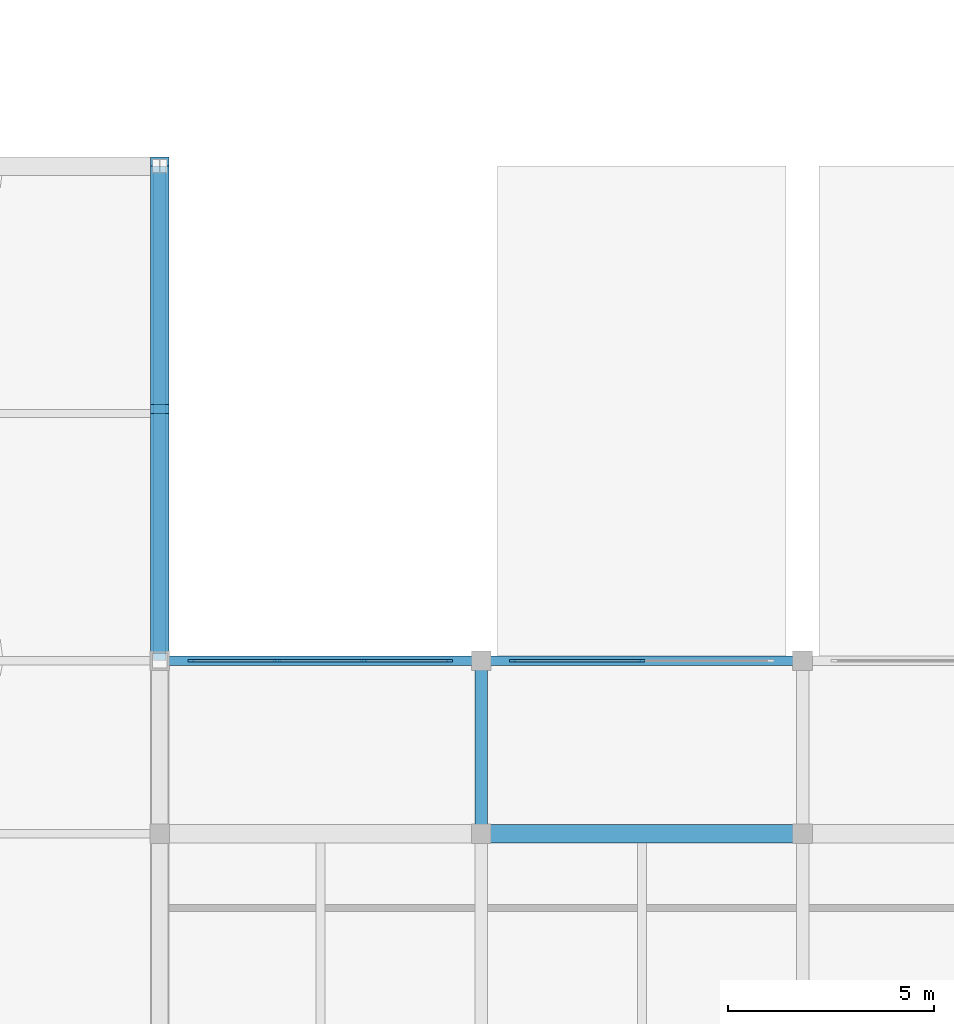
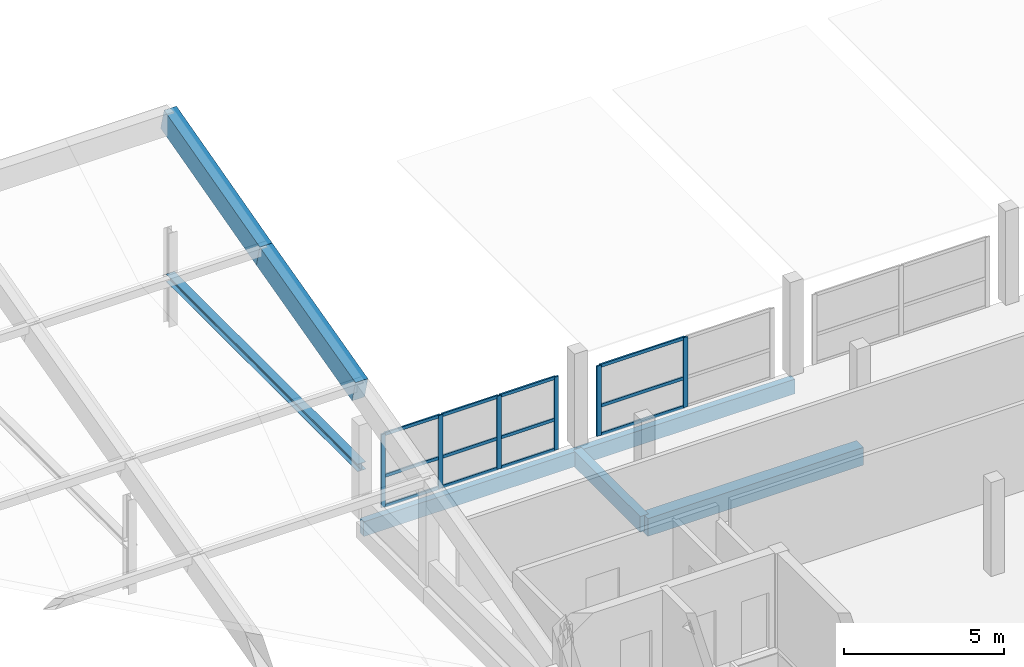
# One storey, part 29 of 51: 19 members, 6 beams, 2 elements without a shape of their own.
"""IFC4 building model written with IfcOpenShell, lengths in metres."""

from ifc_helpers import new_model, si_unit, direction, frame, origin, origin_2d, place, context, subcontext, project, spatial, rectangle, i_section, extrude, material, material_profile, profile_set, type_object, element, aggregate, save


model = new_model("IFC4")

# Units and contexts
model_context = context("Model", 3, precision=1e-05, world=origin(), true_north=direction((0.0, 1.0)))
body_context = subcontext(model_context, "Body", "Model", "MODEL_VIEW")
ifc_project = project(units=[si_unit("LENGTHUNIT", "METRE"), si_unit("AREAUNIT", "SQUARE_METRE"), si_unit("VOLUMEUNIT", "CUBIC_METRE"), si_unit("PLANEANGLEUNIT", "RADIAN"), si_unit("MASSUNIT", "GRAM", prefix="KILO")], contexts=[model_context])

# Site, building, storey
site_placement = place(None, origin())
site = spatial("IfcSite", under=ifc_project, at=site_placement, CompositionType="ELEMENT")
building_placement = place(site_placement, origin())
building = spatial("IfcBuilding", under=site, at=building_placement, Name="Vharandega Faculty of Natural Sciences", CompositionType="ELEMENT")
storey_placement = place(building_placement, frame((0.0, 0.0, 18.0)))
storey = spatial("IfcBuildingStorey", under=building, at=storey_placement, Name="L04", CompositionType="ELEMENT", Elevation=18.0)

# Curtain wall, members
ifc_material_1 = material(Name="Aluminium and solar-control glass curtain wall", Category="aluminium")
curtain_wall_type_1 = type_object("IfcCurtainWallType", Name="Unitised Curtain Wall System CW-21", PredefinedType="NOTDEFINED", material=ifc_material_1)
curtain_wall_1_placement = place(storey_placement, origin())
curtain_wall_1 = element("IfcCurtainWall", 1, at=curtain_wall_1_placement, inside=storey, type_object=curtain_wall_type_1, Name="Curtain Wall CW-L04-020", PredefinedType="NOTDEFINED")
ifc_material_2 = material(Name="Thermally broken aluminium 6063-T6", Category="aluminium")
ifc_material_profile_1 = material_profile(ifc_material_2, rectangle(XDim=0.06005859375, YDim=0.159912109375, at=origin_2d()), Name="ALU 60x160")
ifc_profile_set_1 = profile_set([ifc_material_profile_1], Name="Thermally broken aluminium 6063-T6")
member_type_1 = type_object("IfcMemberType", Name="CW Mullion 60x160", PredefinedType="MULLION", material=ifc_profile_set_1)
member_1_placement = place(storey_placement, frame((115.570068359375, 85.0, 0.0), z_axis=(0.0, 0.0, 1.0), x_axis=(0.0, 1.0, 0.0)))
member_1 = element("IfcMember", 2, at=member_1_placement, type_object=member_type_1, Name="CW-21 mullion 1", PredefinedType="MULLION", context=body_context, shape_type="SweptSolid", body=[
    extrude(rectangle(XDim=0.06005859375, YDim=0.159912109375, at=origin_2d()), origin(), (0.0, 0.0, 1.0), 2.800048828125),
])
member_2_placement = place(storey_placement, frame((117.646728515625, 85.0, 0.0), z_axis=(0.0, 0.0, 1.0), x_axis=(0.0, 1.0, 0.0)))
member_2 = element("IfcMember", 3, at=member_2_placement, type_object=member_type_1, Name="CW-21 mullion 2", PredefinedType="MULLION", context=body_context, shape_type="SweptSolid", body=[
    extrude(rectangle(XDim=0.06005859375, YDim=0.159912109375, at=origin_2d()), origin(), (0.0, 0.0, 1.0), 2.800048828125),
])
member_3_placement = place(storey_placement, frame((119.75341796875, 85.0, 0.0), z_axis=(0.0, 0.0, 1.0), x_axis=(0.0, 1.0, 0.0)))
member_3 = element("IfcMember", 4, at=member_3_placement, type_object=member_type_1, Name="CW-21 mullion 3", PredefinedType="MULLION", context=body_context, shape_type="SweptSolid", body=[
    extrude(rectangle(XDim=0.06005859375, YDim=0.159912109375, at=origin_2d()), origin(), (0.0, 0.0, 1.0), 2.800048828125),
])
member_4_placement = place(storey_placement, frame((121.830078125, 85.0, 0.0), z_axis=(0.0, 0.0, 1.0), x_axis=(0.0, 1.0, 0.0)))
member_4 = element("IfcMember", 5, at=member_4_placement, type_object=member_type_1, Name="CW-21 mullion 4", PredefinedType="MULLION", context=body_context, shape_type="SweptSolid", body=[
    extrude(rectangle(XDim=0.06005859375, YDim=0.159912109375, at=origin_2d()), origin(), (0.0, 0.0, 1.0), 2.800048828125),
])

ifc_material_3 = material(Name="Aluminium and solar-control glass curtain wall", Category="aluminium")
curtain_wall_type_2 = type_object("IfcCurtainWallType", Name="Unitised Curtain Wall System CW-22", PredefinedType="NOTDEFINED", material=ifc_material_3)
curtain_wall_2_placement = place(storey_placement, origin())
curtain_wall_2 = element("IfcCurtainWall", 6, at=curtain_wall_2_placement, inside=storey, type_object=curtain_wall_type_2, Name="Curtain Wall CW-L04-021", PredefinedType="NOTDEFINED")
member_5_placement = place(storey_placement, frame((123.3701171875, 85.0, 0.0), z_axis=(0.0, 0.0, 1.0), x_axis=(0.0, 1.0, 0.0)))
member_5 = element("IfcMember", 7, at=member_5_placement, type_object=member_type_1, Name="CW-22 mullion 1", PredefinedType="MULLION", context=body_context, shape_type="SweptSolid", body=[
    extrude(rectangle(XDim=0.06005859375, YDim=0.159912109375, at=origin_2d()), origin(), (0.0, 0.0, 1.0), 2.679931640625),
])
member_6_placement = place(storey_placement, frame((126.5, 85.0, 0.0), z_axis=(0.0, 0.0, 1.0), x_axis=(0.0, 1.0, 0.0)))
member_6 = element("IfcMember", 8, at=member_6_placement, type_object=member_type_1, Name="CW-22 mullion 2", PredefinedType="MULLION", context=body_context, shape_type="SweptSolid", body=[
    extrude(rectangle(XDim=0.06005859375, YDim=0.159912109375, at=origin_2d()), origin(), (0.0, 0.0, 1.0), 2.679931640625),
])

# Member
ifc_material_4 = material(Name="Thermally broken aluminium 6063-T6", Category="aluminium")
ifc_material_profile_2 = material_profile(ifc_material_4, rectangle(XDim=0.06005859375, YDim=0.1201171875, at=origin_2d()), Name="ALU 60x120")
ifc_profile_set_2 = profile_set([ifc_material_profile_2], Name="Thermally broken aluminium 6063-T6")
member_type_2 = type_object("IfcMemberType", Name="CW Transom 60x120", PredefinedType="USERDEFINED", material=ifc_profile_set_2)
member_7_placement = place(storey_placement, frame((115.60009765625, 85.0, 0.030029296875), z_axis=(1.0, 0.0, 0.0), x_axis=(0.0, 1.0, 0.0)))
member_7 = element("IfcMember", 9, at=member_7_placement, type_object=member_type_2, Name="CW-21 transom 1.1", ObjectType="TRANSOM", PredefinedType="USERDEFINED", context=body_context, shape_type="SweptSolid", body=[
    extrude(rectangle(XDim=0.06005859375, YDim=0.1201171875, at=origin_2d()), origin(), (0.0, 0.0, 1.0), 2.0166015625),
])

member_8_placement = place(storey_placement, frame((115.60009765625, 85.0, 1.176025390625), z_axis=(1.0, 0.0, 0.0), x_axis=(0.0, 1.0, 0.0)))
member_8 = element("IfcMember", 10, at=member_8_placement, type_object=member_type_2, Name="CW-21 transom 1.2", ObjectType="TRANSOM", PredefinedType="USERDEFINED", context=body_context, shape_type="SweptSolid", body=[
    extrude(rectangle(XDim=0.06005859375, YDim=0.1201171875, at=origin_2d()), origin(), (0.0, 0.0, 1.0), 2.0166015625),
])

member_9_placement = place(storey_placement, frame((115.60009765625, 85.0, 2.77001953125), z_axis=(1.0, 0.0, 0.0), x_axis=(0.0, 1.0, 0.0)))
member_9 = element("IfcMember", 11, at=member_9_placement, type_object=member_type_2, Name="CW-21 transom 1.3", ObjectType="TRANSOM", PredefinedType="USERDEFINED", context=body_context, shape_type="SweptSolid", body=[
    extrude(rectangle(XDim=0.06005859375, YDim=0.1201171875, at=origin_2d()), origin(), (0.0, 0.0, 1.0), 2.0166015625),
])

member_10_placement = place(storey_placement, frame((117.6767578125, 85.0, 0.030029296875), z_axis=(1.0, 0.0, 0.0), x_axis=(0.0, 1.0, 0.0)))
member_10 = element("IfcMember", 12, at=member_10_placement, type_object=member_type_2, Name="CW-21 transom 2.1", ObjectType="TRANSOM", PredefinedType="USERDEFINED", context=body_context, shape_type="SweptSolid", body=[
    extrude(rectangle(XDim=0.06005859375, YDim=0.1201171875, at=origin_2d()), origin(), (0.0, 0.0, 1.0), 2.046630859375),
])

member_11_placement = place(storey_placement, frame((117.6767578125, 85.0, 1.176025390625), z_axis=(1.0, 0.0, 0.0), x_axis=(0.0, 1.0, 0.0)))
member_11 = element("IfcMember", 13, at=member_11_placement, type_object=member_type_2, Name="CW-21 transom 2.2", ObjectType="TRANSOM", PredefinedType="USERDEFINED", context=body_context, shape_type="SweptSolid", body=[
    extrude(rectangle(XDim=0.06005859375, YDim=0.1201171875, at=origin_2d()), origin(), (0.0, 0.0, 1.0), 2.046630859375),
])

member_12_placement = place(storey_placement, frame((117.6767578125, 85.0, 2.77001953125), z_axis=(1.0, 0.0, 0.0), x_axis=(0.0, 1.0, 0.0)))
member_12 = element("IfcMember", 14, at=member_12_placement, type_object=member_type_2, Name="CW-21 transom 2.3", ObjectType="TRANSOM", PredefinedType="USERDEFINED", context=body_context, shape_type="SweptSolid", body=[
    extrude(rectangle(XDim=0.06005859375, YDim=0.1201171875, at=origin_2d()), origin(), (0.0, 0.0, 1.0), 2.046630859375),
])

member_13_placement = place(storey_placement, frame((119.783447265625, 85.0, 0.030029296875), z_axis=(1.0, 0.0, 0.0), x_axis=(0.0, 1.0, 0.0)))
member_13 = element("IfcMember", 15, at=member_13_placement, type_object=member_type_2, Name="CW-21 transom 3.1", ObjectType="TRANSOM", PredefinedType="USERDEFINED", context=body_context, shape_type="SweptSolid", body=[
    extrude(rectangle(XDim=0.06005859375, YDim=0.1201171875, at=origin_2d()), origin(), (0.0, 0.0, 1.0), 2.0166015625),
])

member_14_placement = place(storey_placement, frame((119.783447265625, 85.0, 1.176025390625), z_axis=(1.0, 0.0, 0.0), x_axis=(0.0, 1.0, 0.0)))
member_14 = element("IfcMember", 16, at=member_14_placement, type_object=member_type_2, Name="CW-21 transom 3.2", ObjectType="TRANSOM", PredefinedType="USERDEFINED", context=body_context, shape_type="SweptSolid", body=[
    extrude(rectangle(XDim=0.06005859375, YDim=0.1201171875, at=origin_2d()), origin(), (0.0, 0.0, 1.0), 2.0166015625),
])

member_15_placement = place(storey_placement, frame((119.783447265625, 85.0, 2.77001953125), z_axis=(1.0, 0.0, 0.0), x_axis=(0.0, 1.0, 0.0)))
member_15 = element("IfcMember", 17, at=member_15_placement, type_object=member_type_2, Name="CW-21 transom 3.3", ObjectType="TRANSOM", PredefinedType="USERDEFINED", context=body_context, shape_type="SweptSolid", body=[
    extrude(rectangle(XDim=0.06005859375, YDim=0.1201171875, at=origin_2d()), origin(), (0.0, 0.0, 1.0), 2.0166015625),
])

aggregate(curtain_wall_1, [member_1, member_2, member_3, member_4, member_7, member_8, member_9, member_10, member_11, member_12, member_13, member_14, member_15])

member_16_placement = place(storey_placement, frame((123.39990234375, 85.0, 0.030029296875), z_axis=(1.0, 0.0, 0.0), x_axis=(0.0, 1.0, 0.0)))
member_16 = element("IfcMember", 18, at=member_16_placement, type_object=member_type_2, Name="CW-22 transom 1.1", ObjectType="TRANSOM", PredefinedType="USERDEFINED", context=body_context, shape_type="SweptSolid", body=[
    extrude(rectangle(XDim=0.06005859375, YDim=0.1201171875, at=origin_2d()), origin(), (0.0, 0.0, 1.0), 3.070068359375),
])

member_17_placement = place(storey_placement, frame((123.39990234375, 85.0, 1.12548828125), z_axis=(1.0, 0.0, 0.0), x_axis=(0.0, 1.0, 0.0)))
member_17 = element("IfcMember", 19, at=member_17_placement, type_object=member_type_2, Name="CW-22 transom 1.2", ObjectType="TRANSOM", PredefinedType="USERDEFINED", context=body_context, shape_type="SweptSolid", body=[
    extrude(rectangle(XDim=0.06005859375, YDim=0.1201171875, at=origin_2d()), origin(), (0.0, 0.0, 1.0), 3.070068359375),
])

member_18_placement = place(storey_placement, frame((123.39990234375, 85.0, 2.64990234375), z_axis=(1.0, 0.0, 0.0), x_axis=(0.0, 1.0, 0.0)))
member_18 = element("IfcMember", 20, at=member_18_placement, type_object=member_type_2, Name="CW-22 transom 1.3", ObjectType="TRANSOM", PredefinedType="USERDEFINED", context=body_context, shape_type="SweptSolid", body=[
    extrude(rectangle(XDim=0.06005859375, YDim=0.1201171875, at=origin_2d()), origin(), (0.0, 0.0, 1.0), 3.070068359375),
])

aggregate(curtain_wall_2, [member_5, member_6, member_16, member_17, member_18])

# Beams
ifc_material_5 = material(Name="Glulam GL28h", Category="wood")
ifc_material_profile_3 = material_profile(ifc_material_5, rectangle(XDim=0.300048828125, YDim=0.60009765625, at=origin_2d()), Name="GL28h 300x600")
ifc_profile_set_3 = profile_set([ifc_material_profile_3], Name="Glulam GL28h")
beam_type_1 = type_object("IfcBeamType", Name="Glulam Floor Beam 300x600", PredefinedType="BEAM", material=ifc_profile_set_3)
beam_1_placement = place(storey_placement, frame((122.60009765625, 80.800048828125, -0.5400390625), z_axis=(0.0, 1.0, 0.0), x_axis=(-1.0, 0.0, 0.0)))
element("IfcBeam", 21, at=beam_1_placement, inside=storey, type_object=beam_type_1, Name="Beam L04 16/L-M", PredefinedType="BEAM", context=body_context, shape_type="SweptSolid", body=[
    extrude(rectangle(XDim=0.300048828125, YDim=0.60009765625, at=origin_2d()), origin(), (0.0, 0.0, 1.0), 4.199951171875),
])
ifc_material_6 = material(Name="Glulam GL32h", Category="wood")
ifc_material_profile_4 = material_profile(ifc_material_6, rectangle(XDim=0.43994140625, YDim=0.679931640625, at=origin_2d()), Name="GL32h 440x680")
ifc_profile_set_4 = profile_set([ifc_material_profile_4], Name="Glulam GL32h")
beam_type_2 = type_object("IfcBeamType", Name="Glulam Girder 440x680", PredefinedType="BEAM", material=ifc_profile_set_4)
beam_2_placement = place(storey_placement, frame((122.60009765625, 80.800048828125, -0.580078125), z_axis=(1.0, 0.0, 0.0), x_axis=(0.0, 1.0, 0.0)))
element("IfcBeam", 22, at=beam_2_placement, inside=storey, type_object=beam_type_2, Name="Beam L04 L/16-17", PredefinedType="BEAM", context=body_context, shape_type="SweptSolid", body=[
    extrude(rectangle(XDim=0.43994140625, YDim=0.679931640625, at=origin_2d()), origin(), (0.0, 0.0, 1.0), 7.7998046875),
])
ifc_material_7 = material(Name="Glulam GL28h", Category="wood")
ifc_material_profile_5 = material_profile(ifc_material_7, rectangle(XDim=0.239990234375, YDim=0.56005859375, at=origin_2d()), Name="GL28h 240x560")
ifc_profile_set_5 = profile_set([ifc_material_profile_5], Name="Glulam GL28h")
beam_type_3 = type_object("IfcBeamType", Name="Glulam Spandrel Edge Beam 240x560", PredefinedType="SPANDREL", material=ifc_profile_set_5)
beam_3_placement = place(storey_placement, frame((114.800048828125, 85.0, -0.52001953125), z_axis=(1.0, 0.0, 0.0), x_axis=(0.0, 1.0, 0.0)))
element("IfcBeam", 23, at=beam_3_placement, inside=storey, type_object=beam_type_3, Name="Beam L04 M/15-16", PredefinedType="SPANDREL", context=body_context, shape_type="SweptSolid", body=[
    extrude(rectangle(XDim=0.239990234375, YDim=0.56005859375, at=origin_2d()), origin(), (0.0, 0.0, 1.0), 7.800048828125),
])
beam_4_placement = place(storey_placement, frame((122.60009765625, 85.0, -0.52001953125), z_axis=(1.0, 0.0, 0.0), x_axis=(0.0, 1.0, 0.0)))
element("IfcBeam", 24, at=beam_4_placement, inside=storey, type_object=beam_type_3, Name="Beam L04 M/16-17", PredefinedType="SPANDREL", context=body_context, shape_type="SweptSolid", body=[
    extrude(rectangle(XDim=0.239990234375, YDim=0.56005859375, at=origin_2d()), origin(), (0.0, 0.0, 1.0), 7.7998046875),
])
ifc_material_8 = material(Name="Concrete C40/50", Category="concrete")
ifc_material_profile_6 = material_profile(ifc_material_8, rectangle(XDim=0.449951171875, YDim=0.85009765625, at=origin_2d()), Name="RC 450x850")
ifc_profile_set_6 = profile_set([ifc_material_profile_6], Name="Concrete C40/50")
beam_type_4 = type_object("IfcBeamType", Name="Shell Arch Rib Beam 450x850", PredefinedType="BEAM", material=ifc_profile_set_6)
beam_5_placement = place(storey_placement, frame((114.800048828125, 85.106201171875, 4.678466796875), z_axis=(0.0, 0.968212411492, 0.250129418968), x_axis=(-1.0, 0.0, 0.0)))
element("IfcBeam", 25, at=beam_5_placement, inside=storey, type_object=beam_type_4, Name="Conoidal Shell Arch Rib 15-4", PredefinedType="BEAM", context=body_context, shape_type="SweptSolid", body=[
    extrude(rectangle(XDim=0.449951171875, YDim=0.85009765625, at=origin_2d()), origin(), (0.0, 0.0, 1.0), 6.197021484375),
])
beam_6_placement = place(storey_placement, frame((114.800048828125, 91.109619140625, 6.229248046875), z_axis=(0.0, 0.966231024199, 0.25767733287), x_axis=(-1.0, 0.0, 0.0)))
element("IfcBeam", 26, at=beam_6_placement, inside=storey, type_object=beam_type_4, Name="Conoidal Shell Arch Rib 15-5", PredefinedType="BEAM", context=body_context, shape_type="SweptSolid", body=[
    extrude(rectangle(XDim=0.449951171875, YDim=0.85009765625, at=origin_2d()), origin(), (0.0, 0.0, 1.0), 6.209716796875),
])

# Member
ifc_material_9 = material(Name="Steel S355", Category="steel")
ifc_material_profile_7 = material_profile(ifc_material_9, i_section(OverallWidth=0.300048828125, OverallDepth=0.2900390625, WebThickness=0.008544921875, FlangeThickness=0.013916015625, FilletRadius=0.027099609375, at=origin_2d()), Name="HEA 300")
ifc_profile_set_7 = profile_set([ifc_material_profile_7], Name="Steel S355")
member_type_3 = type_object("IfcMemberType", Name="Shell Arch Tie HEA 300", PredefinedType="CHORD", material=ifc_profile_set_7)
member_19_placement = place(storey_placement, frame((114.800048828125, 85.0, 1.800048828125), z_axis=(0.0, 1.0, 0.0), x_axis=(-1.0, 0.0, 0.0)))
element("IfcMember", 27, at=member_19_placement, inside=storey, type_object=member_type_3, Name="Conoidal Shell Tie 15", PredefinedType="CHORD", context=body_context, shape_type="SweptSolid", body=[
    extrude(i_section(OverallWidth=0.300048828125, OverallDepth=0.2900390625, WebThickness=0.008544921875, FlangeThickness=0.013916015625, FilletRadius=0.027099609375, at=origin_2d()), origin(), (0.0, 0.0, 1.0), 12.0),
])

save(model, "model.ifc")
